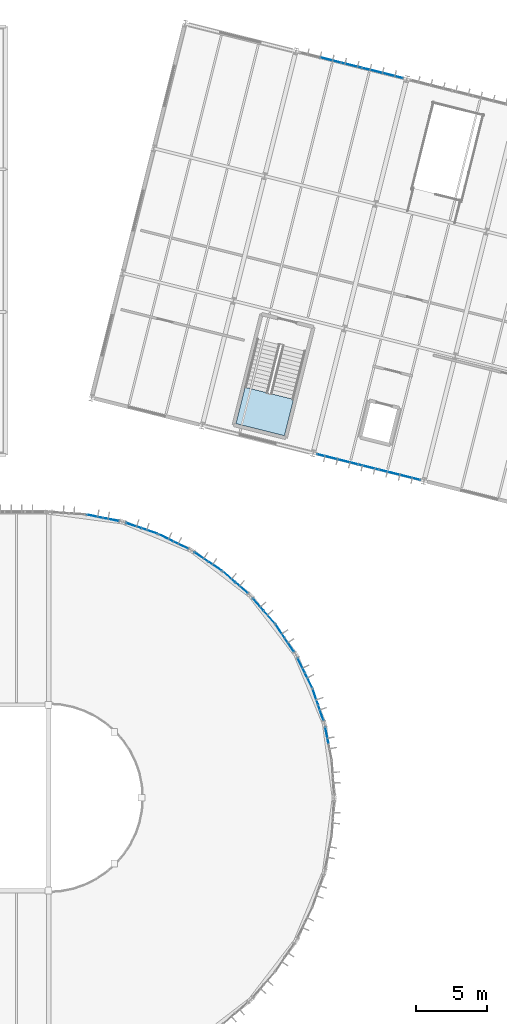
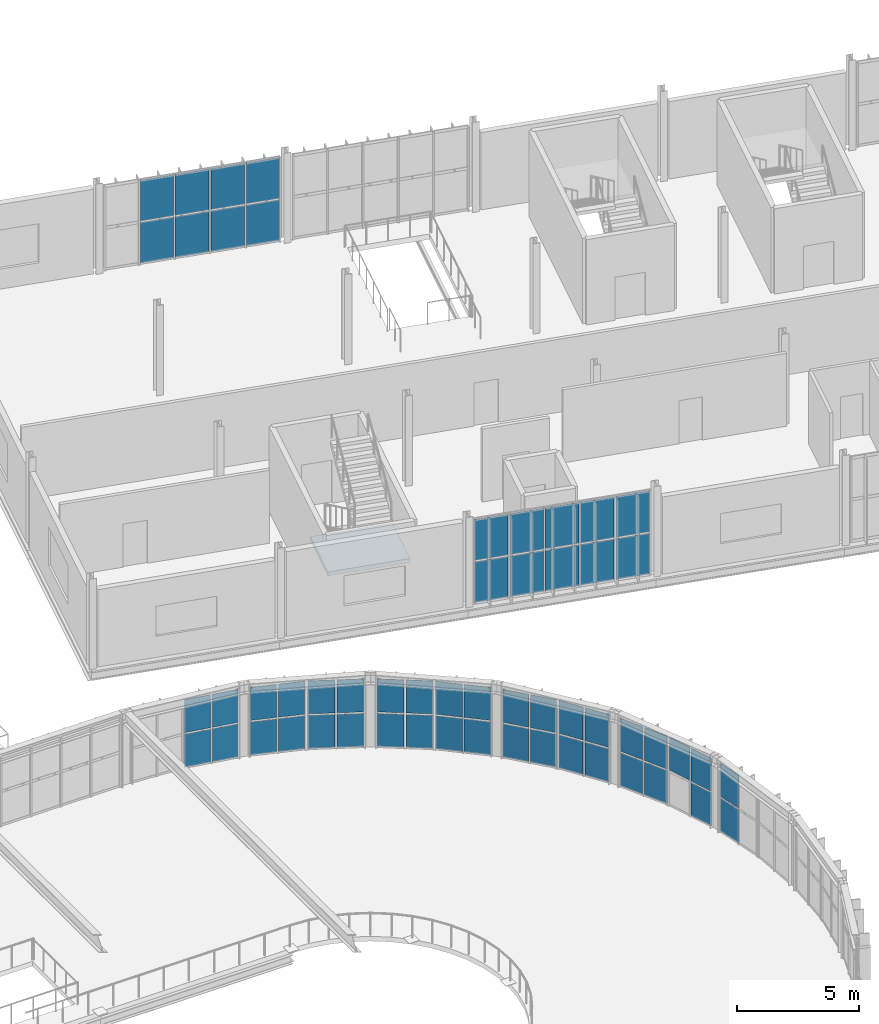
# One storey, part 113 of 152: 55 plates, 1 slab, 13 elements without a shape of their own.
"""IFC4 building model written with IfcOpenShell, lengths in metres."""

from ifc_helpers import new_model, si_unit, derived_unit, direction, frame, origin, origin_2d, place, context, subcontext, project, spatial, polyline, rectangle, outline, extrude, material, layer, layer_set, type_object, element, aggregate, save


model = new_model("IFC4")

# Units and contexts
model_context = context("Model", 3, precision=1e-05, world=origin(), true_north=direction((0.0, 1.0)))
body_context = subcontext(model_context, "Body", "Model", "MODEL_VIEW")
ifc_project = project(units=[si_unit("LENGTHUNIT", "METRE"), si_unit("AREAUNIT", "SQUARE_METRE"), si_unit("VOLUMEUNIT", "CUBIC_METRE"), si_unit("PLANEANGLEUNIT", "RADIAN"), si_unit("MASSUNIT", "GRAM", prefix="KILO"), si_unit("THERMODYNAMICTEMPERATUREUNIT", "KELVIN"), si_unit("TIMEUNIT", "SECOND"), derived_unit("THERMALTRANSMITTANCEUNIT", [(si_unit("MASSUNIT", "GRAM", prefix="KILO"), 1), (si_unit("THERMODYNAMICTEMPERATUREUNIT", "KELVIN"), -1), (si_unit("TIMEUNIT", "SECOND"), -3)])], contexts=[model_context])

# Site, building, storey
site_placement = place(None, origin())
site = spatial("IfcSite", under=ifc_project, at=site_placement, CompositionType="ELEMENT")
building_placement = place(site_placement, origin())
building = spatial("IfcBuilding", under=site, at=building_placement, Name="Cambertide Market Hall", CompositionType="ELEMENT")
storey_placement = place(building_placement, frame((0.0, 0.0, 5.39990234375)))
storey = spatial("IfcBuildingStorey", under=building, at=storey_placement, Name="L02", CompositionType="ELEMENT", Elevation=5.39990234375)

# Stair, slab
ifc_material_1 = material(Name="Concrete B35", Category="concrete")
stair_type = type_object("IfcStairType", Name="Concrete Dogleg Stair ST-07A", PredefinedType="HALF_TURN_STAIR", material=ifc_material_1)
stair_placement = place(storey_placement, origin())
stair = element("IfcStair", 1, at=stair_placement, inside=storey, type_object=stair_type, Name="Level 2 Exit Stair Core 07A", PredefinedType="HALF_TURN_STAIR")
ifc_material_2 = material(Name="Concrete B35", Category="concrete")
ifc_layer_1 = layer(ifc_material_2, 0.199951171875, Name="Concrete Stair Half-Landing 200")
ifc_layer_set_1 = layer_set([ifc_layer_1], Name="Concrete B35")
slab_type = type_object("IfcSlabType", Name="Concrete Stair Half-Landing 200", PredefinedType="LANDING", material=ifc_layer_set_1)
slab_placement = place(storey_placement, frame((0.0, 0.0, 2.050048828125)))
slab = element("IfcSlab", 2, at=slab_placement, type_object=slab_type, Name="ST-07A landing 1", PredefinedType="LANDING", context=body_context, shape_type="SweptSolid", body=[
    extrude(outline(polyline([(118.750244140625, 100.73876953125), (118.11376953125, 98.193115234375), (121.50927734375, 97.34423828125), (122.145751953125, 99.889892578125), (118.750244140625, 100.73876953125)])), origin(), (0.0, 0.0, 1.0), 0.199951171875),
])
aggregate(stair, [slab])

# Curtain wall, plates
ifc_material_3 = material(Name="Marine Anodized Aluminium 6063-T6 AA25", Category="aluminium")
curtain_wall_type_1 = type_object("IfcCurtainWallType", Name="Lantern Apse Chord Upper Curtain Wall", PredefinedType="USERDEFINED", material=ifc_material_3)
curtain_wall_1_placement = place(storey_placement, origin())
curtain_wall_1 = element("IfcCurtainWall", 3, at=curtain_wall_1_placement, inside=storey, type_object=curtain_wall_type_1, Name="Level 2 Curtain Wall CW-V1AE-L02-14", ObjectType="UNITIZED CURTAIN WALL", PredefinedType="USERDEFINED")
ifc_material_4 = material(Name="Low-E Laminated Insulated Glass", Category="glass")
ifc_layer_2 = layer(ifc_material_4, 0.028076171875, Name="Vision Insulated Glazing Panel 28")
ifc_layer_set_2 = layer_set([ifc_layer_2], Name="Low-E Laminated Insulated Glass")
plate_type = type_object("IfcPlateType", Name="Vision Insulated Glazing Panel 28", PredefinedType="CURTAIN_PANEL", material=ifc_layer_set_2)
plate_1_placement = place(storey_placement, frame((124.477294921875, 76.3779296875, 0.0400390625), z_axis=(0.0, 0.0, 1.0), x_axis=(0.195090068226, -0.980785330885, 0.0)))
plate_1 = element("IfcPlate", 4, at=plate_1_placement, type_object=plate_type, Name="CW-V1AE-L02-14 Glazing Panel 1-1", PredefinedType="CURTAIN_PANEL", context=body_context, shape_type="SweptSolid", body=[
    extrude(rectangle(XDim=1.108154296875, YDim=0.028076171875, at=origin_2d()), origin(), (0.0, 0.0, 1.0), 1.64501953125),
])
plate_2_placement = place(storey_placement, frame((124.477294921875, 76.3779296875, 1.76513671875), z_axis=(0.0, 0.0, 1.0), x_axis=(0.195090068226, -0.980785330885, 0.0)))
plate_2 = element("IfcPlate", 5, at=plate_2_placement, type_object=plate_type, Name="CW-V1AE-L02-14 Glazing Panel 2-1", PredefinedType="CURTAIN_PANEL", context=body_context, shape_type="SweptSolid", body=[
    extrude(rectangle(XDim=1.108154296875, YDim=0.028076171875, at=origin_2d()), origin(), (0.0, 0.0, 1.0), 1.64501953125),
])
aggregate(curtain_wall_1, [plate_1, plate_2])

curtain_wall_2_placement = place(storey_placement, origin())
curtain_wall_2 = element("IfcCurtainWall", 6, at=curtain_wall_2_placement, inside=storey, type_object=curtain_wall_type_1, Name="Level 2 Curtain Wall CW-V1AE-L02-15", ObjectType="UNITIZED CURTAIN WALL", PredefinedType="USERDEFINED")
plate_3_placement = place(storey_placement, frame((124.056884765625, 77.947265625, 0.0400390625), z_axis=(0.0, 0.0, 1.0), x_axis=(0.32143947831, -0.94693012508, 0.0)))
plate_3 = element("IfcPlate", 7, at=plate_3_placement, type_object=plate_type, Name="CW-V1AE-L02-15 Glazing Panel 1-2", PredefinedType="CURTAIN_PANEL", context=body_context, shape_type="SweptSolid", body=[
    extrude(rectangle(XDim=1.108154296875, YDim=0.028076171875, at=origin_2d()), origin(), (0.0, 0.0, 1.0), 1.64501953125),
])
plate_4_placement = place(storey_placement, frame((123.675048828125, 79.072265625, 1.76513671875), z_axis=(0.0, 0.0, 1.0), x_axis=(0.32143947831, -0.94693012508, 0.0)))
plate_4 = element("IfcPlate", 8, at=plate_4_placement, type_object=plate_type, Name="CW-V1AE-L02-15 Glazing Panel 2-1", PredefinedType="CURTAIN_PANEL", context=body_context, shape_type="SweptSolid", body=[
    extrude(rectangle(XDim=1.108154296875, YDim=0.028076171875, at=origin_2d()), origin(), (0.0, 0.0, 1.0), 1.64501953125),
])
plate_5_placement = place(storey_placement, frame((124.056884765625, 77.947265625, 1.76513671875), z_axis=(0.0, 0.0, 1.0), x_axis=(0.32143947831, -0.94693012508, 0.0)))
plate_5 = element("IfcPlate", 9, at=plate_5_placement, type_object=plate_type, Name="CW-V1AE-L02-15 Glazing Panel 2-2", PredefinedType="CURTAIN_PANEL", context=body_context, shape_type="SweptSolid", body=[
    extrude(rectangle(XDim=1.108154296875, YDim=0.028076171875, at=origin_2d()), origin(), (0.0, 0.0, 1.0), 1.64501953125),
])
aggregate(curtain_wall_2, [plate_3, plate_4, plate_5])

curtain_wall_3_placement = place(storey_placement, origin())
curtain_wall_3 = element("IfcCurtainWall", 10, at=curtain_wall_3_placement, inside=storey, type_object=curtain_wall_type_1, Name="Level 2 Curtain Wall CW-V1AE-L02-16", ObjectType="UNITIZED CURTAIN WALL", PredefinedType="USERDEFINED")
plate_6_placement = place(storey_placement, frame((122.6806640625, 81.27001953125, 0.0400390625), z_axis=(0.0, 0.0, 1.0), x_axis=(0.442288874522, -0.896872650645, 0.0)))
plate_6 = element("IfcPlate", 11, at=plate_6_placement, type_object=plate_type, Name="CW-V1AE-L02-16 Glazing Panel 1-1", PredefinedType="CURTAIN_PANEL", context=body_context, shape_type="SweptSolid", body=[
    extrude(rectangle(XDim=1.108154296875, YDim=0.028076171875, at=origin_2d()), origin(), (0.0, 0.0, 1.0), 1.64501953125),
])
plate_7_placement = place(storey_placement, frame((123.2060546875, 80.204345703125, 0.0400390625), z_axis=(0.0, 0.0, 1.0), x_axis=(0.442288874522, -0.896872650645, 0.0)))
plate_7 = element("IfcPlate", 12, at=plate_7_placement, type_object=plate_type, Name="CW-V1AE-L02-16 Glazing Panel 1-2", PredefinedType="CURTAIN_PANEL", context=body_context, shape_type="SweptSolid", body=[
    extrude(rectangle(XDim=1.108154296875, YDim=0.028076171875, at=origin_2d()), origin(), (0.0, 0.0, 1.0), 1.64501953125),
])
plate_8_placement = place(storey_placement, frame((122.6806640625, 81.27001953125, 1.76513671875), z_axis=(0.0, 0.0, 1.0), x_axis=(0.442288874522, -0.896872650645, 0.0)))
plate_8 = element("IfcPlate", 13, at=plate_8_placement, type_object=plate_type, Name="CW-V1AE-L02-16 Glazing Panel 2-1", PredefinedType="CURTAIN_PANEL", context=body_context, shape_type="SweptSolid", body=[
    extrude(rectangle(XDim=1.108154296875, YDim=0.028076171875, at=origin_2d()), origin(), (0.0, 0.0, 1.0), 1.64501953125),
])
plate_9_placement = place(storey_placement, frame((123.2060546875, 80.204345703125, 1.76513671875), z_axis=(0.0, 0.0, 1.0), x_axis=(0.442288874522, -0.896872650645, 0.0)))
plate_9 = element("IfcPlate", 14, at=plate_9_placement, type_object=plate_type, Name="CW-V1AE-L02-16 Glazing Panel 2-2", PredefinedType="CURTAIN_PANEL", context=body_context, shape_type="SweptSolid", body=[
    extrude(rectangle(XDim=1.108154296875, YDim=0.028076171875, at=origin_2d()), origin(), (0.0, 0.0, 1.0), 1.64501953125),
])
aggregate(curtain_wall_3, [plate_6, plate_7, plate_8, plate_9])

curtain_wall_4_placement = place(storey_placement, origin())
curtain_wall_4 = element("IfcCurtainWall", 15, at=curtain_wall_4_placement, inside=storey, type_object=curtain_wall_type_1, Name="Level 2 Curtain Wall CW-V1AE-L02-17", ObjectType="UNITIZED CURTAIN WALL", PredefinedType="USERDEFINED")
plate_10_placement = place(storey_placement, frame((121.208251953125, 83.664794921875, 0.0400390625), z_axis=(0.0, 0.0, 1.0), x_axis=(0.555570087582, -0.831469709481, 0.0)))
plate_10 = element("IfcPlate", 16, at=plate_10_placement, type_object=plate_type, Name="CW-V1AE-L02-17 Glazing Panel 1-1", PredefinedType="CURTAIN_PANEL", context=body_context, shape_type="SweptSolid", body=[
    extrude(rectangle(XDim=1.108154296875, YDim=0.028076171875, at=origin_2d()), origin(), (0.0, 0.0, 1.0), 1.64501953125),
])
plate_11_placement = place(storey_placement, frame((121.8681640625, 82.6767578125, 0.0400390625), z_axis=(0.0, 0.0, 1.0), x_axis=(0.555570087582, -0.831469709481, 0.0)))
plate_11 = element("IfcPlate", 17, at=plate_11_placement, type_object=plate_type, Name="CW-V1AE-L02-17 Glazing Panel 1-2", PredefinedType="CURTAIN_PANEL", context=body_context, shape_type="SweptSolid", body=[
    extrude(rectangle(XDim=1.108154296875, YDim=0.028076171875, at=origin_2d()), origin(), (0.0, 0.0, 1.0), 1.64501953125),
])
plate_12_placement = place(storey_placement, frame((121.208251953125, 83.664794921875, 1.76513671875), z_axis=(0.0, 0.0, 1.0), x_axis=(0.555570087582, -0.831469709481, 0.0)))
plate_12 = element("IfcPlate", 18, at=plate_12_placement, type_object=plate_type, Name="CW-V1AE-L02-17 Glazing Panel 2-1", PredefinedType="CURTAIN_PANEL", context=body_context, shape_type="SweptSolid", body=[
    extrude(rectangle(XDim=1.108154296875, YDim=0.028076171875, at=origin_2d()), origin(), (0.0, 0.0, 1.0), 1.64501953125),
])
plate_13_placement = place(storey_placement, frame((121.8681640625, 82.6767578125, 1.76513671875), z_axis=(0.0, 0.0, 1.0), x_axis=(0.555570087582, -0.831469709481, 0.0)))
plate_13 = element("IfcPlate", 19, at=plate_13_placement, type_object=plate_type, Name="CW-V1AE-L02-17 Glazing Panel 2-2", PredefinedType="CURTAIN_PANEL", context=body_context, shape_type="SweptSolid", body=[
    extrude(rectangle(XDim=1.108154296875, YDim=0.028076171875, at=origin_2d()), origin(), (0.0, 0.0, 1.0), 1.64501953125),
])
aggregate(curtain_wall_4, [plate_10, plate_11, plate_12, plate_13])

curtain_wall_5_placement = place(storey_placement, origin())
curtain_wall_5 = element("IfcCurtainWall", 20, at=curtain_wall_5_placement, inside=storey, type_object=curtain_wall_type_1, Name="Level 2 Curtain Wall CW-V1AE-L02-18", ObjectType="UNITIZED CURTAIN WALL", PredefinedType="USERDEFINED")
plate_14_placement = place(storey_placement, frame((119.678955078125, 85.530029296875, 0.0400390625), z_axis=(0.0, 0.0, 1.0), x_axis=(0.659345784014, -0.751839834741, 0.0)))
plate_14 = element("IfcPlate", 21, at=plate_14_placement, type_object=plate_type, Name="CW-V1AE-L02-18 Glazing Panel 1-1", PredefinedType="CURTAIN_PANEL", context=body_context, shape_type="SweptSolid", body=[
    extrude(rectangle(XDim=1.108154296875, YDim=0.028076171875, at=origin_2d()), origin(), (0.0, 0.0, 1.0), 1.64501953125),
])
plate_15_placement = place(storey_placement, frame((120.462158203125, 84.636962890625, 0.0400390625), z_axis=(0.0, 0.0, 1.0), x_axis=(0.659345784014, -0.751839834741, 0.0)))
plate_15 = element("IfcPlate", 22, at=plate_15_placement, type_object=plate_type, Name="CW-V1AE-L02-18 Glazing Panel 1-2", PredefinedType="CURTAIN_PANEL", context=body_context, shape_type="SweptSolid", body=[
    extrude(rectangle(XDim=1.108154296875, YDim=0.028076171875, at=origin_2d()), origin(), (0.0, 0.0, 1.0), 1.64501953125),
])
plate_16_placement = place(storey_placement, frame((119.678955078125, 85.530029296875, 1.76513671875), z_axis=(0.0, 0.0, 1.0), x_axis=(0.659345784014, -0.751839834741, 0.0)))
plate_16 = element("IfcPlate", 23, at=plate_16_placement, type_object=plate_type, Name="CW-V1AE-L02-18 Glazing Panel 2-1", PredefinedType="CURTAIN_PANEL", context=body_context, shape_type="SweptSolid", body=[
    extrude(rectangle(XDim=1.108154296875, YDim=0.028076171875, at=origin_2d()), origin(), (0.0, 0.0, 1.0), 1.64501953125),
])
plate_17_placement = place(storey_placement, frame((120.462158203125, 84.636962890625, 1.76513671875), z_axis=(0.0, 0.0, 1.0), x_axis=(0.659345784014, -0.751839834741, 0.0)))
plate_17 = element("IfcPlate", 24, at=plate_17_placement, type_object=plate_type, Name="CW-V1AE-L02-18 Glazing Panel 2-2", PredefinedType="CURTAIN_PANEL", context=body_context, shape_type="SweptSolid", body=[
    extrude(rectangle(XDim=1.108154296875, YDim=0.028076171875, at=origin_2d()), origin(), (0.0, 0.0, 1.0), 1.64501953125),
])
aggregate(curtain_wall_5, [plate_14, plate_15, plate_16, plate_17])

curtain_wall_6_placement = place(storey_placement, origin())
curtain_wall_6 = element("IfcCurtainWall", 25, at=curtain_wall_6_placement, inside=storey, type_object=curtain_wall_type_1, Name="Level 2 Curtain Wall CW-V1AE-L02-19", ObjectType="UNITIZED CURTAIN WALL", PredefinedType="USERDEFINED")
plate_18_placement = place(storey_placement, frame((117.636962890625, 87.462158203125, 0.0400390625), z_axis=(0.0, 0.0, 1.0), x_axis=(0.751839834741, -0.659345784014, 0.0)))
plate_18 = element("IfcPlate", 26, at=plate_18_placement, type_object=plate_type, Name="CW-V1AE-L02-19 Glazing Panel 1-1", PredefinedType="CURTAIN_PANEL", context=body_context, shape_type="SweptSolid", body=[
    extrude(rectangle(XDim=1.108154296875, YDim=0.028076171875, at=origin_2d()), origin(), (0.0, 0.0, 1.0), 1.64501953125),
])
plate_19_placement = place(storey_placement, frame((118.530029296875, 86.678955078125, 0.0400390625), z_axis=(0.0, 0.0, 1.0), x_axis=(0.751839834741, -0.659345784014, 0.0)))
plate_19 = element("IfcPlate", 27, at=plate_19_placement, type_object=plate_type, Name="CW-V1AE-L02-19 Glazing Panel 1-2", PredefinedType="CURTAIN_PANEL", context=body_context, shape_type="SweptSolid", body=[
    extrude(rectangle(XDim=1.108154296875, YDim=0.028076171875, at=origin_2d()), origin(), (0.0, 0.0, 1.0), 1.64501953125),
])
plate_20_placement = place(storey_placement, frame((117.636962890625, 87.462158203125, 1.76513671875), z_axis=(0.0, 0.0, 1.0), x_axis=(0.751839834741, -0.659345784014, 0.0)))
plate_20 = element("IfcPlate", 28, at=plate_20_placement, type_object=plate_type, Name="CW-V1AE-L02-19 Glazing Panel 2-1", PredefinedType="CURTAIN_PANEL", context=body_context, shape_type="SweptSolid", body=[
    extrude(rectangle(XDim=1.108154296875, YDim=0.028076171875, at=origin_2d()), origin(), (0.0, 0.0, 1.0), 1.64501953125),
])
plate_21_placement = place(storey_placement, frame((118.530029296875, 86.678955078125, 1.76513671875), z_axis=(0.0, 0.0, 1.0), x_axis=(0.751839834741, -0.659345784014, 0.0)))
plate_21 = element("IfcPlate", 29, at=plate_21_placement, type_object=plate_type, Name="CW-V1AE-L02-19 Glazing Panel 2-2", PredefinedType="CURTAIN_PANEL", context=body_context, shape_type="SweptSolid", body=[
    extrude(rectangle(XDim=1.108154296875, YDim=0.028076171875, at=origin_2d()), origin(), (0.0, 0.0, 1.0), 1.64501953125),
])
aggregate(curtain_wall_6, [plate_18, plate_19, plate_20, plate_21])

curtain_wall_7_placement = place(storey_placement, origin())
curtain_wall_7 = element("IfcCurtainWall", 30, at=curtain_wall_7_placement, inside=storey, type_object=curtain_wall_type_1, Name="Level 2 Curtain Wall CW-V1AE-L02-20", ObjectType="UNITIZED CURTAIN WALL", PredefinedType="USERDEFINED")
plate_22_placement = place(storey_placement, frame((115.6767578125, 88.8681640625, 0.0400390625), z_axis=(0.0, 0.0, 1.0), x_axis=(0.831469709481, -0.555570087582, 0.0)))
plate_22 = element("IfcPlate", 31, at=plate_22_placement, type_object=plate_type, Name="CW-V1AE-L02-20 Glazing Panel 1-1", PredefinedType="CURTAIN_PANEL", context=body_context, shape_type="SweptSolid", body=[
    extrude(rectangle(XDim=1.108154296875, YDim=0.028076171875, at=origin_2d()), origin(), (0.0, 0.0, 1.0), 1.64501953125),
])
plate_23_placement = place(storey_placement, frame((116.664794921875, 88.208251953125, 0.0400390625), z_axis=(0.0, 0.0, 1.0), x_axis=(0.831469709481, -0.555570087582, 0.0)))
plate_23 = element("IfcPlate", 32, at=plate_23_placement, type_object=plate_type, Name="CW-V1AE-L02-20 Glazing Panel 1-2", PredefinedType="CURTAIN_PANEL", context=body_context, shape_type="SweptSolid", body=[
    extrude(rectangle(XDim=1.108154296875, YDim=0.028076171875, at=origin_2d()), origin(), (0.0, 0.0, 1.0), 1.64501953125),
])
plate_24_placement = place(storey_placement, frame((115.6767578125, 88.8681640625, 1.76513671875), z_axis=(0.0, 0.0, 1.0), x_axis=(0.831469709481, -0.555570087582, 0.0)))
plate_24 = element("IfcPlate", 33, at=plate_24_placement, type_object=plate_type, Name="CW-V1AE-L02-20 Glazing Panel 2-1", PredefinedType="CURTAIN_PANEL", context=body_context, shape_type="SweptSolid", body=[
    extrude(rectangle(XDim=1.108154296875, YDim=0.028076171875, at=origin_2d()), origin(), (0.0, 0.0, 1.0), 1.64501953125),
])
plate_25_placement = place(storey_placement, frame((116.664794921875, 88.208251953125, 1.76513671875), z_axis=(0.0, 0.0, 1.0), x_axis=(0.831469709481, -0.555570087582, 0.0)))
plate_25 = element("IfcPlate", 34, at=plate_25_placement, type_object=plate_type, Name="CW-V1AE-L02-20 Glazing Panel 2-2", PredefinedType="CURTAIN_PANEL", context=body_context, shape_type="SweptSolid", body=[
    extrude(rectangle(XDim=1.108154296875, YDim=0.028076171875, at=origin_2d()), origin(), (0.0, 0.0, 1.0), 1.64501953125),
])
aggregate(curtain_wall_7, [plate_22, plate_23, plate_24, plate_25])

curtain_wall_8_placement = place(storey_placement, origin())
curtain_wall_8 = element("IfcCurtainWall", 35, at=curtain_wall_8_placement, inside=storey, type_object=curtain_wall_type_1, Name="Level 2 Curtain Wall CW-V1AE-L02-21", ObjectType="UNITIZED CURTAIN WALL", PredefinedType="USERDEFINED")
plate_26_placement = place(storey_placement, frame((113.204345703125, 90.2060546875, 0.0400390625), z_axis=(0.0, 0.0, 1.0), x_axis=(0.896872650645, -0.442288874522, 0.0)))
plate_26 = element("IfcPlate", 36, at=plate_26_placement, type_object=plate_type, Name="CW-V1AE-L02-21 Glazing Panel 1-1", PredefinedType="CURTAIN_PANEL", context=body_context, shape_type="SweptSolid", body=[
    extrude(rectangle(XDim=1.108154296875, YDim=0.028076171875, at=origin_2d()), origin(), (0.0, 0.0, 1.0), 1.64501953125),
])
plate_27_placement = place(storey_placement, frame((114.27001953125, 89.6806640625, 0.0400390625), z_axis=(0.0, 0.0, 1.0), x_axis=(0.896872650645, -0.442288874522, 0.0)))
plate_27 = element("IfcPlate", 37, at=plate_27_placement, type_object=plate_type, Name="CW-V1AE-L02-21 Glazing Panel 1-2", PredefinedType="CURTAIN_PANEL", context=body_context, shape_type="SweptSolid", body=[
    extrude(rectangle(XDim=1.108154296875, YDim=0.028076171875, at=origin_2d()), origin(), (0.0, 0.0, 1.0), 1.64501953125),
])
plate_28_placement = place(storey_placement, frame((113.204345703125, 90.2060546875, 1.76513671875), z_axis=(0.0, 0.0, 1.0), x_axis=(0.896872650645, -0.442288874522, 0.0)))
plate_28 = element("IfcPlate", 38, at=plate_28_placement, type_object=plate_type, Name="CW-V1AE-L02-21 Glazing Panel 2-1", PredefinedType="CURTAIN_PANEL", context=body_context, shape_type="SweptSolid", body=[
    extrude(rectangle(XDim=1.108154296875, YDim=0.028076171875, at=origin_2d()), origin(), (0.0, 0.0, 1.0), 1.64501953125),
])
plate_29_placement = place(storey_placement, frame((114.27001953125, 89.6806640625, 1.76513671875), z_axis=(0.0, 0.0, 1.0), x_axis=(0.896872650645, -0.442288874522, 0.0)))
plate_29 = element("IfcPlate", 39, at=plate_29_placement, type_object=plate_type, Name="CW-V1AE-L02-21 Glazing Panel 2-2", PredefinedType="CURTAIN_PANEL", context=body_context, shape_type="SweptSolid", body=[
    extrude(rectangle(XDim=1.108154296875, YDim=0.028076171875, at=origin_2d()), origin(), (0.0, 0.0, 1.0), 1.64501953125),
])
aggregate(curtain_wall_8, [plate_26, plate_27, plate_28, plate_29])

curtain_wall_9_placement = place(storey_placement, origin())
curtain_wall_9 = element("IfcCurtainWall", 40, at=curtain_wall_9_placement, inside=storey, type_object=curtain_wall_type_1, Name="Level 2 Curtain Wall CW-V1AE-L02-22", ObjectType="UNITIZED CURTAIN WALL", PredefinedType="USERDEFINED")
plate_30_placement = place(storey_placement, frame((110.947265625, 91.056884765625, 0.0400390625), z_axis=(0.0, 0.0, 1.0), x_axis=(0.94693012508, -0.32143947831, 0.0)))
plate_30 = element("IfcPlate", 41, at=plate_30_placement, type_object=plate_type, Name="CW-V1AE-L02-22 Glazing Panel 1-1", PredefinedType="CURTAIN_PANEL", context=body_context, shape_type="SweptSolid", body=[
    extrude(rectangle(XDim=1.108154296875, YDim=0.028076171875, at=origin_2d()), origin(), (0.0, 0.0, 1.0), 1.64501953125),
])
plate_31_placement = place(storey_placement, frame((112.072265625, 90.675048828125, 0.0400390625), z_axis=(0.0, 0.0, 1.0), x_axis=(0.94693012508, -0.32143947831, 0.0)))
plate_31 = element("IfcPlate", 42, at=plate_31_placement, type_object=plate_type, Name="CW-V1AE-L02-22 Glazing Panel 1-2", PredefinedType="CURTAIN_PANEL", context=body_context, shape_type="SweptSolid", body=[
    extrude(rectangle(XDim=1.108154296875, YDim=0.028076171875, at=origin_2d()), origin(), (0.0, 0.0, 1.0), 1.64501953125),
])
plate_32_placement = place(storey_placement, frame((110.947265625, 91.056884765625, 1.76513671875), z_axis=(0.0, 0.0, 1.0), x_axis=(0.94693012508, -0.32143947831, 0.0)))
plate_32 = element("IfcPlate", 43, at=plate_32_placement, type_object=plate_type, Name="CW-V1AE-L02-22 Glazing Panel 2-1", PredefinedType="CURTAIN_PANEL", context=body_context, shape_type="SweptSolid", body=[
    extrude(rectangle(XDim=1.108154296875, YDim=0.028076171875, at=origin_2d()), origin(), (0.0, 0.0, 1.0), 1.64501953125),
])
plate_33_placement = place(storey_placement, frame((112.072265625, 90.675048828125, 1.76513671875), z_axis=(0.0, 0.0, 1.0), x_axis=(0.94693012508, -0.32143947831, 0.0)))
plate_33 = element("IfcPlate", 44, at=plate_33_placement, type_object=plate_type, Name="CW-V1AE-L02-22 Glazing Panel 2-2", PredefinedType="CURTAIN_PANEL", context=body_context, shape_type="SweptSolid", body=[
    extrude(rectangle(XDim=1.108154296875, YDim=0.028076171875, at=origin_2d()), origin(), (0.0, 0.0, 1.0), 1.64501953125),
])
aggregate(curtain_wall_9, [plate_30, plate_31, plate_32, plate_33])

curtain_wall_10_placement = place(storey_placement, origin())
curtain_wall_10 = element("IfcCurtainWall", 45, at=curtain_wall_10_placement, inside=storey, type_object=curtain_wall_type_1, Name="Level 2 Curtain Wall CW-V1AE-L02-23", ObjectType="UNITIZED CURTAIN WALL", PredefinedType="USERDEFINED")
plate_34_placement = place(storey_placement, frame((108.212646484375, 91.708984375, 0.0400390625), z_axis=(0.0, 0.0, 1.0), x_axis=(0.980785330885, -0.195090068226, 0.0)))
plate_34 = element("IfcPlate", 46, at=plate_34_placement, type_object=plate_type, Name="CW-V1AE-L02-23 Glazing Panel 1-1", PredefinedType="CURTAIN_PANEL", context=body_context, shape_type="SweptSolid", body=[
    extrude(rectangle(XDim=1.108154296875, YDim=0.028076171875, at=origin_2d()), origin(), (0.0, 0.0, 1.0), 1.64501953125),
])
plate_35_placement = place(storey_placement, frame((109.3779296875, 91.477294921875, 0.0400390625), z_axis=(0.0, 0.0, 1.0), x_axis=(0.980785330885, -0.195090068226, 0.0)))
plate_35 = element("IfcPlate", 47, at=plate_35_placement, type_object=plate_type, Name="CW-V1AE-L02-23 Glazing Panel 1-2", PredefinedType="CURTAIN_PANEL", context=body_context, shape_type="SweptSolid", body=[
    extrude(rectangle(XDim=1.108154296875, YDim=0.028076171875, at=origin_2d()), origin(), (0.0, 0.0, 1.0), 1.64501953125),
])
plate_36_placement = place(storey_placement, frame((108.212646484375, 91.708984375, 1.76513671875), z_axis=(0.0, 0.0, 1.0), x_axis=(0.980785330885, -0.195090068226, 0.0)))
plate_36 = element("IfcPlate", 48, at=plate_36_placement, type_object=plate_type, Name="CW-V1AE-L02-23 Glazing Panel 2-1", PredefinedType="CURTAIN_PANEL", context=body_context, shape_type="SweptSolid", body=[
    extrude(rectangle(XDim=1.108154296875, YDim=0.028076171875, at=origin_2d()), origin(), (0.0, 0.0, 1.0), 1.64501953125),
])
plate_37_placement = place(storey_placement, frame((109.3779296875, 91.477294921875, 1.76513671875), z_axis=(0.0, 0.0, 1.0), x_axis=(0.980785330885, -0.195090068226, 0.0)))
plate_37 = element("IfcPlate", 49, at=plate_37_placement, type_object=plate_type, Name="CW-V1AE-L02-23 Glazing Panel 2-2", PredefinedType="CURTAIN_PANEL", context=body_context, shape_type="SweptSolid", body=[
    extrude(rectangle(XDim=1.108154296875, YDim=0.028076171875, at=origin_2d()), origin(), (0.0, 0.0, 1.0), 1.64501953125),
])
aggregate(curtain_wall_10, [plate_34, plate_35, plate_36, plate_37])

ifc_material_5 = material(Name="Marine Anodized Aluminium 6063-T6 AA25", Category="aluminium")
curtain_wall_type_2 = type_object("IfcCurtainWallType", Name="Culinary Teaching Kitchen Curtain Wall", PredefinedType="USERDEFINED", material=ifc_material_5)
curtain_wall_11_placement = place(storey_placement, origin())
curtain_wall_11 = element("IfcCurtainWall", 50, at=curtain_wall_11_placement, inside=storey, type_object=curtain_wall_type_2, Name="Level 2 Curtain Wall CW-V4N-L02-2", ObjectType="UNITIZED CURTAIN WALL", PredefinedType="USERDEFINED")
plate_38_placement = place(storey_placement, frame((124.73095703125, 123.648193359375, 0.0400390625), z_axis=(0.0, 0.0, 1.0), x_axis=(0.970142500145, -0.242535625038, 0.0)))
plate_38 = element("IfcPlate", 51, at=plate_38_placement, type_object=plate_type, Name="CW-V4N-L02-2 Glazing Panel 1-2", PredefinedType="CURTAIN_PANEL", context=body_context, shape_type="SweptSolid", body=[
    extrude(rectangle(XDim=1.424072265625, YDim=0.028076171875, at=origin_2d()), origin(), (0.0, 0.0, 1.0), 2.030029296875),
])
plate_39_placement = place(storey_placement, frame((126.190185546875, 123.283447265625, 0.0400390625), z_axis=(0.0, 0.0, 1.0), x_axis=(0.970142500145, -0.242535625038, 0.0)))
plate_39 = element("IfcPlate", 52, at=plate_39_placement, type_object=plate_type, Name="CW-V4N-L02-2 Glazing Panel 1-3", PredefinedType="CURTAIN_PANEL", context=body_context, shape_type="SweptSolid", body=[
    extrude(rectangle(XDim=1.424072265625, YDim=0.028076171875, at=origin_2d()), origin(), (0.0, 0.0, 1.0), 2.030029296875),
])
plate_40_placement = place(storey_placement, frame((127.649169921875, 122.918701171875, 0.0400390625), z_axis=(0.0, 0.0, 1.0), x_axis=(0.970142500145, -0.242535625038, 0.0)))
plate_40 = element("IfcPlate", 53, at=plate_40_placement, type_object=plate_type, Name="CW-V4N-L02-2 Glazing Panel 1-4", PredefinedType="CURTAIN_PANEL", context=body_context, shape_type="SweptSolid", body=[
    extrude(rectangle(XDim=1.424072265625, YDim=0.028076171875, at=origin_2d()), origin(), (0.0, 0.0, 1.0), 2.030029296875),
])
plate_41_placement = place(storey_placement, frame((129.1083984375, 122.553955078125, 0.0400390625), z_axis=(0.0, 0.0, 1.0), x_axis=(0.970142500145, -0.242535625038, 0.0)))
plate_41 = element("IfcPlate", 54, at=plate_41_placement, type_object=plate_type, Name="CW-V4N-L02-2 Glazing Panel 1-5", PredefinedType="CURTAIN_PANEL", context=body_context, shape_type="SweptSolid", body=[
    extrude(rectangle(XDim=1.424072265625, YDim=0.028076171875, at=origin_2d()), origin(), (0.0, 0.0, 1.0), 2.030029296875),
])
plate_42_placement = place(storey_placement, frame((124.73095703125, 123.648193359375, 2.14990234375), z_axis=(0.0, 0.0, 1.0), x_axis=(0.970142500145, -0.242535625038, 0.0)))
plate_42 = element("IfcPlate", 55, at=plate_42_placement, type_object=plate_type, Name="CW-V4N-L02-2 Glazing Panel 2-2", PredefinedType="CURTAIN_PANEL", context=body_context, shape_type="SweptSolid", body=[
    extrude(rectangle(XDim=1.424072265625, YDim=0.028076171875, at=origin_2d()), origin(), (0.0, 0.0, 1.0), 2.030029296875),
])
plate_43_placement = place(storey_placement, frame((126.190185546875, 123.283447265625, 2.14990234375), z_axis=(0.0, 0.0, 1.0), x_axis=(0.970142500145, -0.242535625038, 0.0)))
plate_43 = element("IfcPlate", 56, at=plate_43_placement, type_object=plate_type, Name="CW-V4N-L02-2 Glazing Panel 2-3", PredefinedType="CURTAIN_PANEL", context=body_context, shape_type="SweptSolid", body=[
    extrude(rectangle(XDim=1.424072265625, YDim=0.028076171875, at=origin_2d()), origin(), (0.0, 0.0, 1.0), 2.030029296875),
])
plate_44_placement = place(storey_placement, frame((127.649169921875, 122.918701171875, 2.14990234375), z_axis=(0.0, 0.0, 1.0), x_axis=(0.970142500145, -0.242535625038, 0.0)))
plate_44 = element("IfcPlate", 57, at=plate_44_placement, type_object=plate_type, Name="CW-V4N-L02-2 Glazing Panel 2-4", PredefinedType="CURTAIN_PANEL", context=body_context, shape_type="SweptSolid", body=[
    extrude(rectangle(XDim=1.424072265625, YDim=0.028076171875, at=origin_2d()), origin(), (0.0, 0.0, 1.0), 2.030029296875),
])
plate_45_placement = place(storey_placement, frame((129.1083984375, 122.553955078125, 2.14990234375), z_axis=(0.0, 0.0, 1.0), x_axis=(0.970142500145, -0.242535625038, 0.0)))
plate_45 = element("IfcPlate", 58, at=plate_45_placement, type_object=plate_type, Name="CW-V4N-L02-2 Glazing Panel 2-5", PredefinedType="CURTAIN_PANEL", context=body_context, shape_type="SweptSolid", body=[
    extrude(rectangle(XDim=1.424072265625, YDim=0.028076171875, at=origin_2d()), origin(), (0.0, 0.0, 1.0), 2.030029296875),
])
aggregate(curtain_wall_11, [plate_38, plate_39, plate_40, plate_41, plate_42, plate_43, plate_44, plate_45])

ifc_material_6 = material(Name="Marine Anodized Aluminium 6063-T6 AA25", Category="aluminium")
curtain_wall_type_3 = type_object("IfcCurtainWallType", Name="Cooking School Classroom Curtain Wall", PredefinedType="USERDEFINED", material=ifc_material_6)
curtain_wall_12_placement = place(storey_placement, origin())
curtain_wall_12 = element("IfcCurtainWall", 59, at=curtain_wall_12_placement, inside=storey, type_object=curtain_wall_type_3, Name="Level 2 Curtain Wall CW-V4S-L02-3", ObjectType="UNITIZED CURTAIN WALL", PredefinedType="USERDEFINED")
plate_46_placement = place(storey_placement, frame((130.321044921875, 94.419677734375, 0.0400390625), z_axis=(0.0, 0.0, 1.0), x_axis=(-0.970142531436, 0.242535499875, 0.0)))
plate_46 = element("IfcPlate", 60, at=plate_46_placement, type_object=plate_type, Name="CW-V4S-L02-3 Glazing Panel 1-1", PredefinedType="CURTAIN_PANEL", context=body_context, shape_type="SweptSolid", body=[
    extrude(rectangle(XDim=1.424072265625, YDim=0.028076171875, at=origin_2d()), origin(), (0.0, 0.0, 1.0), 2.030029296875),
])
plate_47_placement = place(storey_placement, frame((128.862060546875, 94.784423828125, 0.0400390625), z_axis=(0.0, 0.0, 1.0), x_axis=(-0.970142531436, 0.242535499875, 0.0)))
plate_47 = element("IfcPlate", 61, at=plate_47_placement, type_object=plate_type, Name="CW-V4S-L02-3 Glazing Panel 1-2", PredefinedType="CURTAIN_PANEL", context=body_context, shape_type="SweptSolid", body=[
    extrude(rectangle(XDim=1.424072265625, YDim=0.028076171875, at=origin_2d()), origin(), (0.0, 0.0, 1.0), 2.030029296875),
])
plate_48_placement = place(storey_placement, frame((127.40283203125, 95.149169921875, 0.0400390625), z_axis=(0.0, 0.0, 1.0), x_axis=(-0.970142531436, 0.242535499875, 0.0)))
plate_48 = element("IfcPlate", 62, at=plate_48_placement, type_object=plate_type, Name="CW-V4S-L02-3 Glazing Panel 1-3", PredefinedType="CURTAIN_PANEL", context=body_context, shape_type="SweptSolid", body=[
    extrude(rectangle(XDim=1.424072265625, YDim=0.028076171875, at=origin_2d()), origin(), (0.0, 0.0, 1.0), 2.030029296875),
])
plate_49_placement = place(storey_placement, frame((125.94384765625, 95.51416015625, 0.0400390625), z_axis=(0.0, 0.0, 1.0), x_axis=(-0.970142531436, 0.242535499875, 0.0)))
plate_49 = element("IfcPlate", 63, at=plate_49_placement, type_object=plate_type, Name="CW-V4S-L02-3 Glazing Panel 1-4", PredefinedType="CURTAIN_PANEL", context=body_context, shape_type="SweptSolid", body=[
    extrude(rectangle(XDim=1.424072265625, YDim=0.028076171875, at=origin_2d()), origin(), (0.0, 0.0, 1.0), 2.030029296875),
])
plate_50_placement = place(storey_placement, frame((124.484619140625, 95.87890625, 0.0400390625), z_axis=(0.0, 0.0, 1.0), x_axis=(-0.970142531436, 0.242535499875, 0.0)))
plate_50 = element("IfcPlate", 64, at=plate_50_placement, type_object=plate_type, Name="CW-V4S-L02-3 Glazing Panel 1-5", PredefinedType="CURTAIN_PANEL", context=body_context, shape_type="SweptSolid", body=[
    extrude(rectangle(XDim=1.424072265625, YDim=0.028076171875, at=origin_2d()), origin(), (0.0, 0.0, 1.0), 2.030029296875),
])
plate_51_placement = place(storey_placement, frame((130.321044921875, 94.419677734375, 2.14990234375), z_axis=(0.0, 0.0, 1.0), x_axis=(-0.970142531436, 0.242535499875, 0.0)))
plate_51 = element("IfcPlate", 65, at=plate_51_placement, type_object=plate_type, Name="CW-V4S-L02-3 Glazing Panel 2-1", PredefinedType="CURTAIN_PANEL", context=body_context, shape_type="SweptSolid", body=[
    extrude(rectangle(XDim=1.424072265625, YDim=0.028076171875, at=origin_2d()), origin(), (0.0, 0.0, 1.0), 2.030029296875),
])
plate_52_placement = place(storey_placement, frame((128.862060546875, 94.784423828125, 2.14990234375), z_axis=(0.0, 0.0, 1.0), x_axis=(-0.970142531436, 0.242535499875, 0.0)))
plate_52 = element("IfcPlate", 66, at=plate_52_placement, type_object=plate_type, Name="CW-V4S-L02-3 Glazing Panel 2-2", PredefinedType="CURTAIN_PANEL", context=body_context, shape_type="SweptSolid", body=[
    extrude(rectangle(XDim=1.424072265625, YDim=0.028076171875, at=origin_2d()), origin(), (0.0, 0.0, 1.0), 2.030029296875),
])
plate_53_placement = place(storey_placement, frame((127.40283203125, 95.149169921875, 2.14990234375), z_axis=(0.0, 0.0, 1.0), x_axis=(-0.970142531436, 0.242535499875, 0.0)))
plate_53 = element("IfcPlate", 67, at=plate_53_placement, type_object=plate_type, Name="CW-V4S-L02-3 Glazing Panel 2-3", PredefinedType="CURTAIN_PANEL", context=body_context, shape_type="SweptSolid", body=[
    extrude(rectangle(XDim=1.424072265625, YDim=0.028076171875, at=origin_2d()), origin(), (0.0, 0.0, 1.0), 2.030029296875),
])
plate_54_placement = place(storey_placement, frame((125.94384765625, 95.51416015625, 2.14990234375), z_axis=(0.0, 0.0, 1.0), x_axis=(-0.970142531436, 0.242535499875, 0.0)))
plate_54 = element("IfcPlate", 68, at=plate_54_placement, type_object=plate_type, Name="CW-V4S-L02-3 Glazing Panel 2-4", PredefinedType="CURTAIN_PANEL", context=body_context, shape_type="SweptSolid", body=[
    extrude(rectangle(XDim=1.424072265625, YDim=0.028076171875, at=origin_2d()), origin(), (0.0, 0.0, 1.0), 2.030029296875),
])
plate_55_placement = place(storey_placement, frame((124.484619140625, 95.87890625, 2.14990234375), z_axis=(0.0, 0.0, 1.0), x_axis=(-0.970142531436, 0.242535499875, 0.0)))
plate_55 = element("IfcPlate", 69, at=plate_55_placement, type_object=plate_type, Name="CW-V4S-L02-3 Glazing Panel 2-5", PredefinedType="CURTAIN_PANEL", context=body_context, shape_type="SweptSolid", body=[
    extrude(rectangle(XDim=1.424072265625, YDim=0.028076171875, at=origin_2d()), origin(), (0.0, 0.0, 1.0), 2.030029296875),
])
aggregate(curtain_wall_12, [plate_46, plate_47, plate_48, plate_49, plate_50, plate_51, plate_52, plate_53, plate_54, plate_55])

save(model, "model.ifc")
